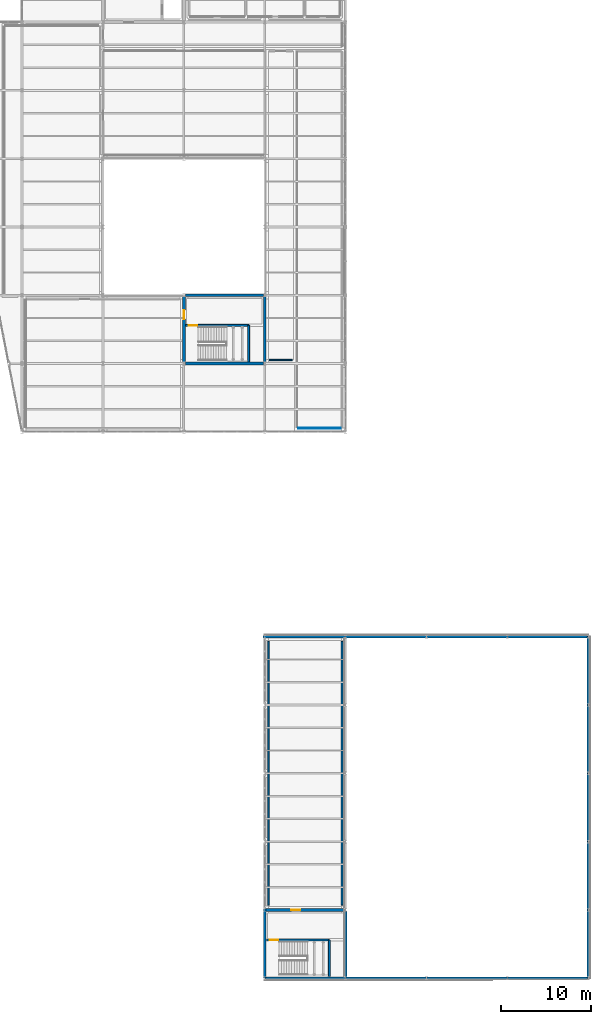
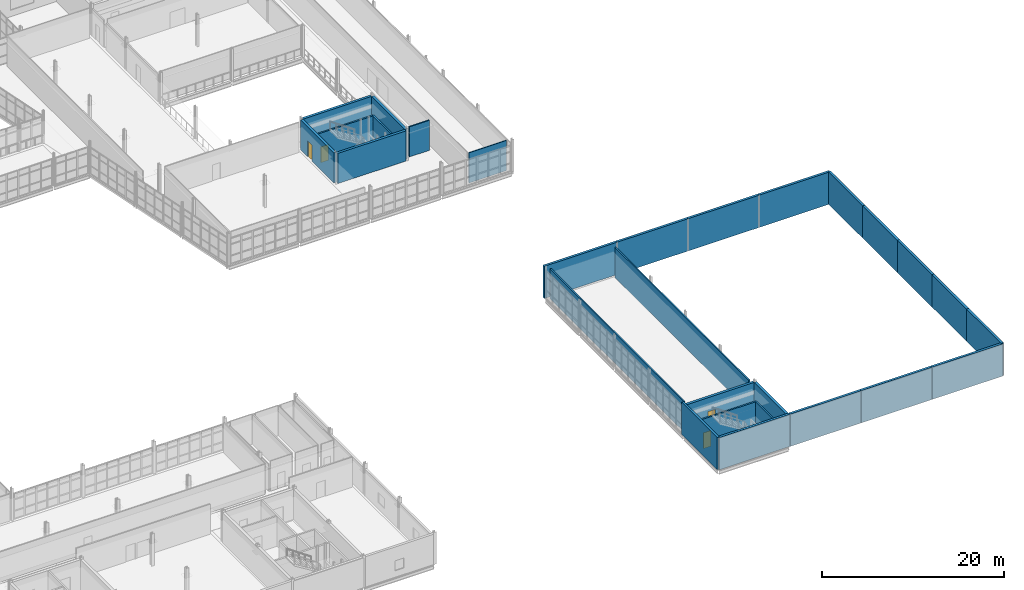
# One storey, part 162 of 174: 28 walls, 4 doors, 4 openings.
"""IFC4 building model written with IfcOpenShell, lengths in metres."""

from ifc_helpers import new_model, si_unit, direction, frame, frame_2d, origin, place, context, subcontext, project, spatial, rectangle, extrude, material, layer, layer_set, type_object, element, fill, save


model = new_model("IFC4")

# Units and contexts
model_context = context("Model", 3, precision=1e-05, world=origin(), true_north=direction((0.0, 1.0)))
body_context = subcontext(model_context, "Body", "Model", "MODEL_VIEW")
ifc_project = project(units=[si_unit("LENGTHUNIT", "METRE"), si_unit("AREAUNIT", "SQUARE_METRE"), si_unit("VOLUMEUNIT", "CUBIC_METRE"), si_unit("PLANEANGLEUNIT", "RADIAN"), si_unit("MASSUNIT", "GRAM", prefix="KILO")], contexts=[model_context])

# Site, building, storey
site_placement = place(None, origin())
site = spatial("IfcSite", under=ifc_project, at=site_placement, CompositionType="ELEMENT")
building_placement = place(site_placement, origin())
building = spatial("IfcBuilding", under=site, at=building_placement, Name="Caisbarro Railhouse Central Library", CompositionType="ELEMENT")
storey_placement = place(building_placement, frame((0.0, 0.0, 5.0400390625)))
storey = spatial("IfcBuildingStorey", under=building, at=storey_placement, Name="L01", CompositionType="ELEMENT", Elevation=5.0400390625)

# Walls
ifc_material_1 = material(Name="Concrete C40", Category="concrete")
ifc_layer_1 = layer(ifc_material_1, 0.320068359375, Name="Concrete C40")
ifc_layer_set_1 = layer_set([ifc_layer_1], Name="Concrete C40")
wall_type_1 = type_object("IfcWallType", Name="WAL-CW32", PredefinedType="SHEAR", material=ifc_layer_set_1)
for number, where, z_axis, x_axis, name in (
    (1, (135.159912109375, 68.39990234375, 0.0), (0.0, 0.0, 1.0), (1.0, 0.0, 0.0), "CW32 RC core shear wall L01 #94"),
    (2, (135.159912109375, 76.0, 0.0), (0.0, 0.0, 1.0), (1.0, 0.0, 0.0), "CW32 RC core shear wall L01 #95"),
):
    element("IfcWall", number, at=place(storey_placement, frame(where, z_axis=z_axis, x_axis=x_axis)), inside=storey, type_object=wall_type_1, Name=name, PredefinedType="SHEAR", context=body_context, shape_type="SweptSolid", body=[
        extrude(rectangle(XDim=8.68017578125, YDim=0.320068359375, at=frame_2d((4.340087890625, 0.0))), origin(), (0.0, 0.0, 1.0), 4.0400390625),
    ])

# Wall, opening, door
wall_1_placement = place(storey_placement, frame((135.0, 68.56005859375, 0.0), z_axis=(0.0, 0.0, 1.0), x_axis=(0.0, 1.0, 0.0)))
wall_1 = element("IfcWall", 3, at=wall_1_placement, inside=storey, type_object=wall_type_1, Name="CW32 RC core shear wall L01 #96", PredefinedType="SHEAR", context=body_context, shape_type="SweptSolid", body=[
    extrude(rectangle(XDim=7.280029296875, YDim=0.320068359375, at=frame_2d((3.64013671875, 0.0))), origin(), (0.0, 0.0, 1.0), 4.0400390625),
])
opening_1_placement = place(wall_1_placement, frame((4.800048828125, 0.0, 0.0)))
opening_1 = element("IfcOpeningElement", 4, at=opening_1_placement, cuts=wall_1, Name="Opening FD05", PredefinedType="OPENING", context=body_context, shape_type="SweptSolid", body=[
    extrude(rectangle(XDim=1.0, YDim=2.14990234375, at=frame_2d((0.5, 1.074951171875))), frame((0.0, 0.169921875, 0.0), z_axis=(0.0, -1.0, 0.0), x_axis=(1.0, 0.0, 0.0)), (0.0, 0.0, 1.0), 0.340087890625),
])
ifc_material_2 = material(Name="Fire-rated painted galvanised steel", Category="steel")
door_type_1 = type_object("IfcDoorType", Name="DR-FD05", OperationType="NOTDEFINED", PredefinedType="DOOR", material=ifc_material_2)
door_1_placement = place(opening_1_placement, origin())
door_1 = element("IfcDoor", 5, at=door_1_placement, inside=storey, type_object=door_type_1, Name="Core K7 Lobby Door FD05 L01-130", OperationType="SINGLE_SWING_LEFT", OverallHeight=2.14990234375, OverallWidth=1.0, PredefinedType="DOOR", context=body_context, shape_type="SweptSolid", body=[
    extrude(rectangle(XDim=1.0, YDim=2.14990234375, at=frame_2d((0.5, 1.074951171875))), frame((0.0, 0.02490234375, 0.0), z_axis=(0.0, -1.0, 0.0), x_axis=(1.0, 0.0, 0.0)), (0.0, 0.0, 1.0), 0.050048828125),
])
fill(opening_1, door_1)

# Wall
wall_2_placement = place(storey_placement, frame((144.0, 68.56005859375, 0.0), z_axis=(0.0, 0.0, 1.0), x_axis=(0.0, 1.0, 0.0)))
element("IfcWall", 6, at=wall_2_placement, inside=storey, type_object=wall_type_1, Name="CW32 RC core shear wall L01 #97", PredefinedType="SHEAR", context=body_context, shape_type="SweptSolid", body=[
    extrude(rectangle(XDim=7.280029296875, YDim=0.320068359375, at=frame_2d((3.64013671875, 0.0))), origin(), (0.0, 0.0, 1.0), 4.0400390625),
])

# Wall, opening, door
wall_3_placement = place(storey_placement, frame((144.159912109375, 7.60009765625, 0.0), z_axis=(0.0, 0.0, 1.0), x_axis=(1.0, 0.0, 0.0)))
wall_3 = element("IfcWall", 7, at=wall_3_placement, inside=storey, type_object=wall_type_1, Name="CW32 RC core shear wall L01 #113", PredefinedType="SHEAR", context=body_context, shape_type="SweptSolid", body=[
    extrude(rectangle(XDim=8.68017578125, YDim=0.320068359375, at=frame_2d((4.340087890625, 0.0))), origin(), (0.0, 0.0, 1.0), 4.0400390625),
])
opening_2_placement = place(wall_3_placement, frame((2.800048828125, 0.0, 0.0)))
opening_2 = element("IfcOpeningElement", 8, at=opening_2_placement, cuts=wall_3, Name="Opening FD05", PredefinedType="OPENING", context=body_context, shape_type="SweptSolid", body=[
    extrude(rectangle(XDim=1.0, YDim=2.14990234375, at=frame_2d((0.5, 1.074951171875))), frame((0.0, 0.169921875, 0.0), z_axis=(0.0, -1.0, 0.0), x_axis=(1.0, 0.0, 0.0)), (0.0, 0.0, 1.0), 0.340087890625),
])
door_2_placement = place(opening_2_placement, origin())
door_2 = element("IfcDoor", 9, at=door_2_placement, inside=storey, type_object=door_type_1, Name="Core K9 L01 Lobby Door FD05 L01-144", OperationType="SINGLE_SWING_LEFT", OverallHeight=2.14990234375, OverallWidth=1.0, PredefinedType="DOOR", context=body_context, shape_type="SweptSolid", body=[
    extrude(rectangle(XDim=1.0, YDim=2.14990234375, at=frame_2d((0.5, 1.074951171875))), frame((0.0, 0.02490234375, 0.0), z_axis=(0.0, -1.0, 0.0), x_axis=(1.0, 0.0, 0.0)), (0.0, 0.0, 1.0), 0.050048828125),
])
fill(opening_2, door_2)

# Walls
wall_4_placement = place(storey_placement, frame((153.0, 0.159912109375, 0.0), z_axis=(0.0, 0.0, 1.0), x_axis=(0.0, 1.0, 0.0)))
element("IfcWall", 10, at=wall_4_placement, inside=storey, type_object=wall_type_1, Name="CW32 RC core shear wall L01 #114", PredefinedType="SHEAR", context=body_context, shape_type="SweptSolid", body=[
    extrude(rectangle(XDim=7.280029296875, YDim=0.320068359375, at=frame_2d((3.64013671875, 0.0))), origin(), (0.0, 0.0, 1.0), 4.0400390625),
])
ifc_layer_2 = layer(ifc_material_1, 0.280029296875, Name="Concrete C40")
ifc_layer_set_2 = layer_set([ifc_layer_2], Name="Concrete C40")
wall_type_2 = type_object("IfcWallType", Name="WAL-EW28", PredefinedType="SOLIDWALL", material=ifc_layer_set_2)
wall_5_placement = place(storey_placement, frame((144.0, 0.0, 0.0), z_axis=(0.0, 0.0, 1.0), x_axis=(0.0, 1.0, 0.0)))
element("IfcWall", 11, at=wall_5_placement, inside=storey, type_object=wall_type_2, Name="EW28 exterior wall L01 #172", PredefinedType="SOLIDWALL", context=body_context, shape_type="SweptSolid", body=[
    extrude(rectangle(XDim=7.81005859375, YDim=0.280029296875, at=frame_2d((3.905029296875, 0.0))), origin(), (0.0, 0.0, 1.0), 4.320068359375),
])
ifc_layer_3 = layer(ifc_material_1, 0.300048828125, Name="Concrete C40")
ifc_layer_set_3 = layer_set([ifc_layer_3], Name="Concrete C40")
wall_type_3 = type_object("IfcWallType", Name="WAL-EW30", PredefinedType="SOLIDWALL", material=ifc_layer_set_3)
wall_6_placement = place(storey_placement, frame((180.0, 0.0, 0.0), z_axis=(0.0, 0.0, 1.0), x_axis=(0.0, 1.0, 0.0)))
element("IfcWall", 12, at=wall_6_placement, inside=storey, type_object=wall_type_3, Name="EW30 exterior wall L01 #173", PredefinedType="SOLIDWALL", context=body_context, shape_type="SweptSolid", body=[
    extrude(rectangle(XDim=7.60009765625, YDim=0.300048828125, at=frame_2d((3.800048828125, 0.0))), origin(), (0.0, 0.0, 1.0), 4.320068359375),
])
wall_7_placement = place(storey_placement, frame((180.0, 7.60009765625, 0.0), z_axis=(0.0, 0.0, 1.0), x_axis=(0.0, 1.0, 0.0)))
element("IfcWall", 13, at=wall_7_placement, inside=storey, type_object=wall_type_3, Name="EW30 exterior wall L01 #174", PredefinedType="SOLIDWALL", context=body_context, shape_type="SweptSolid", body=[
    extrude(rectangle(XDim=7.599853515625, YDim=0.300048828125, at=frame_2d((3.7998046875, 0.0))), origin(), (0.0, 0.0, 1.0), 4.320068359375),
])
wall_8_placement = place(storey_placement, frame((180.0, 15.199951171875, 0.0), z_axis=(0.0, 0.0, 1.0), x_axis=(0.0, 1.0, 0.0)))
element("IfcWall", 14, at=wall_8_placement, inside=storey, type_object=wall_type_3, Name="EW30 exterior wall L01 #175", PredefinedType="SOLIDWALL", context=body_context, shape_type="SweptSolid", body=[
    extrude(rectangle(XDim=7.60009765625, YDim=0.300048828125, at=frame_2d((3.800048828125, 0.0))), origin(), (0.0, 0.0, 1.0), 4.320068359375),
])
wall_9_placement = place(storey_placement, frame((180.0, 22.800048828125, 0.0), z_axis=(0.0, 0.0, 1.0), x_axis=(0.0, 1.0, 0.0)))
element("IfcWall", 15, at=wall_9_placement, inside=storey, type_object=wall_type_3, Name="EW30 exterior wall L01 #176", PredefinedType="SOLIDWALL", context=body_context, shape_type="SweptSolid", body=[
    extrude(rectangle(XDim=7.599853515625, YDim=0.300048828125, at=frame_2d((3.7998046875, 0.0))), origin(), (0.0, 0.0, 1.0), 4.320068359375),
])
wall_10_placement = place(storey_placement, frame((180.0, 30.39990234375, 0.0), z_axis=(0.0, 0.0, 1.0), x_axis=(0.0, 1.0, 0.0)))
element("IfcWall", 16, at=wall_10_placement, inside=storey, type_object=wall_type_3, Name="EW30 exterior wall L01 #177", PredefinedType="SOLIDWALL", context=body_context, shape_type="SweptSolid", body=[
    extrude(rectangle(XDim=7.60009765625, YDim=0.300048828125, at=frame_2d((3.800048828125, 0.0))), origin(), (0.0, 0.0, 1.0), 4.320068359375),
])
wall_11_placement = place(storey_placement, frame((144.0, 0.0, 0.0), z_axis=(0.0, 0.0, 1.0), x_axis=(1.0, 0.0, 0.0)))
element("IfcWall", 17, at=wall_11_placement, inside=storey, type_object=wall_type_3, Name="EW30 exterior wall L01 #178", PredefinedType="SOLIDWALL", context=body_context, shape_type="SweptSolid", body=[
    extrude(rectangle(XDim=9.0, YDim=0.300048828125, at=frame_2d((4.5, 0.0))), origin(), (0.0, 0.0, 1.0), 4.320068359375),
])
wall_12_placement = place(storey_placement, frame((143.7900390625, 38.0, 0.0), z_axis=(0.0, 0.0, 1.0), x_axis=(1.0, 0.0, 0.0)))
element("IfcWall", 18, at=wall_12_placement, inside=storey, type_object=wall_type_3, Name="EW30 exterior wall L01 #179", PredefinedType="SOLIDWALL", context=body_context, shape_type="SweptSolid", body=[
    extrude(rectangle(XDim=9.2099609375, YDim=0.300048828125, at=frame_2d((4.60498046875, 0.0))), origin(), (0.0, 0.0, 1.0), 4.320068359375),
])
for number, where, z_axis, x_axis, name in (
    (19, (153.0, 0.0, 0.0), (0.0, 0.0, 1.0), (1.0, 0.0, 0.0), "EW30 exterior wall L01 #180"),
    (20, (153.0, 38.0, 0.0), (0.0, 0.0, 1.0), (1.0, 0.0, 0.0), "EW30 exterior wall L01 #181"),
    (21, (162.0, 0.0, 0.0), (0.0, 0.0, 1.0), (1.0, 0.0, 0.0), "EW30 exterior wall L01 #182"),
    (22, (162.0, 38.0, 0.0), (0.0, 0.0, 1.0), (1.0, 0.0, 0.0), "EW30 exterior wall L01 #183"),
    (23, (171.0, 0.0, 0.0), (0.0, 0.0, 1.0), (1.0, 0.0, 0.0), "EW30 exterior wall L01 #184"),
    (24, (171.0, 38.0, 0.0), (0.0, 0.0, 1.0), (1.0, 0.0, 0.0), "EW30 exterior wall L01 #185"),
):
    element("IfcWall", number, at=place(storey_placement, frame(where, z_axis=z_axis, x_axis=x_axis)), inside=storey, type_object=wall_type_3, Name=name, PredefinedType="SOLIDWALL", context=body_context, shape_type="SweptSolid", body=[
        extrude(rectangle(XDim=9.0, YDim=0.300048828125, at=frame_2d((4.5, 0.0))), origin(), (0.0, 0.0, 1.0), 4.320068359375),
    ])
ifc_material_3 = material(Name="Acoustic gypsum board on galvanised steel studs", Category="steel")
ifc_layer_4 = layer(ifc_material_3, 0.110107421875, Name="Acoustic gypsum board on galvanised steel studs")
ifc_layer_set_4 = layer_set([ifc_layer_4], Name="Acoustic gypsum board on galvanised steel studs")
wall_type_4 = type_object("IfcWallType", Name="WAL-IW11", PredefinedType="PARTITIONING", material=ifc_layer_set_4)
wall_13_placement = place(storey_placement, frame((147.719970703125, 61.199951171875, 0.0), z_axis=(0.0, 0.0, 1.0), x_axis=(1.0, 0.0, 0.0)))
element("IfcWall", 25, at=wall_13_placement, inside=storey, type_object=wall_type_4, Name="IW11 partition wall L01 #442", PredefinedType="PARTITIONING", context=body_context, shape_type="SweptSolid", body=[
    extrude(rectangle(XDim=4.760009765625, YDim=0.110107421875, at=frame_2d((2.3798828125, 0.0))), origin(), (0.0, 0.0, 1.0), 4.0400390625),
])
ifc_layer_5 = layer(ifc_material_3, 0.14990234375, Name="Acoustic gypsum board on galvanised steel studs")
ifc_layer_set_5 = layer_set([ifc_layer_5], Name="Acoustic gypsum board on galvanised steel studs")
wall_type_5 = type_object("IfcWallType", Name="WAL-IW15", PredefinedType="PARTITIONING", material=ifc_layer_set_5)
wall_14_placement = place(storey_placement, frame((144.52001953125, 68.800048828125, 0.0), z_axis=(0.0, 0.0, 1.0), x_axis=(1.0, 0.0, 0.0)))
element("IfcWall", 26, at=wall_14_placement, inside=storey, type_object=wall_type_5, Name="IW15 partition wall L01 #464", PredefinedType="PARTITIONING", context=body_context, shape_type="SweptSolid", body=[
    extrude(rectangle(XDim=2.56005859375, YDim=0.14990234375, at=frame_2d((1.280029296875, 0.0))), origin(), (0.0, 0.0, 1.0), 4.0400390625),
])
ifc_material_4 = material(Name="Plastered cellular concrete masonry", Category="masonry")
ifc_layer_6 = layer(ifc_material_4, 0.169921875, Name="Plastered cellular concrete masonry")
ifc_layer_set_6 = layer_set([ifc_layer_6], Name="Plastered cellular concrete masonry")
wall_type_6 = type_object("IfcWallType", Name="WAL-IW17", PredefinedType="PARTITIONING", material=ifc_layer_set_6)
for number, where, z_axis, x_axis, name in (
    (27, (144.39990234375, 8.1201171875, 0.0), (0.0, 0.0, 1.0), (0.0, 1.0, 0.0), "IW17 partition wall L01 #467"),
    (28, (152.60009765625, 8.1201171875, 0.0), (0.0, 0.0, 1.0), (0.0, 1.0, 0.0), "IW17 partition wall L01 #468"),
):
    element("IfcWall", number, at=place(storey_placement, frame(where, z_axis=z_axis, x_axis=x_axis)), inside=storey, type_object=wall_type_6, Name=name, PredefinedType="PARTITIONING", context=body_context, shape_type="SweptSolid", body=[
        extrude(rectangle(XDim=29.35986328125, YDim=0.169921875, at=frame_2d((14.679931640625, 0.0))), origin(), (0.0, 0.0, 1.0), 4.0400390625),
    ])

# Wall, opening, door
ifc_layer_7 = layer(ifc_material_1, 0.2099609375, Name="Concrete C40")
ifc_layer_set_7 = layer_set([ifc_layer_7], Name="Concrete C40")
wall_type_7 = type_object("IfcWallType", Name="WAL-SW21", PredefinedType="SOLIDWALL", material=ifc_layer_set_7)
wall_15_placement = place(storey_placement, frame((135.199951171875, 72.64990234375, 0.0), z_axis=(0.0, 0.0, 1.0), x_axis=(1.0, 0.0, 0.0)))
wall_15 = element("IfcWall", 29, at=wall_15_placement, inside=storey, type_object=wall_type_7, Name="SW21 core shaft wall L01 #153", PredefinedType="SOLIDWALL", context=body_context, shape_type="SweptSolid", body=[
    extrude(rectangle(XDim=7.0, YDim=0.2099609375, at=frame_2d((3.5, 0.0))), origin(), (0.0, 0.0, 1.0), 4.0400390625),
])
opening_3_placement = place(wall_15_placement, frame((0.35009765625, 0.0, 0.0)))
opening_3 = element("IfcOpeningElement", 30, at=opening_3_placement, cuts=wall_15, Name="Opening FD01", PredefinedType="OPENING", context=body_context, shape_type="SweptSolid", body=[
    extrude(rectangle(XDim=0.949951171875, YDim=2.1201171875, at=frame_2d((0.47509765625, 1.06005859375))), frame((0.0, 0.114990234375, 0.0), z_axis=(0.0, -1.0, 0.0), x_axis=(1.0, 0.0, 0.0)), (0.0, 0.0, 1.0), 0.22998046875),
])
door_type_2 = type_object("IfcDoorType", Name="DR-FD01", OperationType="NOTDEFINED", PredefinedType="DOOR", material=ifc_material_2)
door_3_placement = place(opening_3_placement, origin())
door_3 = element("IfcDoor", 31, at=door_3_placement, inside=storey, type_object=door_type_2, Name="Stair ST-07 Fire Door FD01 L01-129", OperationType="SINGLE_SWING_RIGHT", OverallHeight=2.1201171875, OverallWidth=0.949951171875, PredefinedType="DOOR", context=body_context, shape_type="SweptSolid", body=[
    extrude(rectangle(XDim=0.949951171875, YDim=2.1201171875, at=frame_2d((0.47509765625, 1.06005859375))), frame((0.0, 0.02490234375, 0.0), z_axis=(0.0, -1.0, 0.0), x_axis=(1.0, 0.0, 0.0)), (0.0, 0.0, 1.0), 0.050048828125),
])
fill(opening_3, door_3)

# Wall
wall_16_placement = place(storey_placement, frame((142.199951171875, 68.60009765625, 0.0), z_axis=(0.0, 0.0, 1.0), x_axis=(0.0, 1.0, 0.0)))
element("IfcWall", 32, at=wall_16_placement, inside=storey, type_object=wall_type_7, Name="SW21 core shaft wall L01 #154", PredefinedType="SOLIDWALL", context=body_context, shape_type="SweptSolid", body=[
    extrude(rectangle(XDim=4.0498046875, YDim=0.2099609375, at=frame_2d((2.02490234375, 0.0))), origin(), (0.0, 0.0, 1.0), 4.0400390625),
])

# Wall, opening, door
wall_17_placement = place(storey_placement, frame((144.199951171875, 4.25, 0.0), z_axis=(0.0, 0.0, 1.0), x_axis=(1.0, 0.0, 0.0)))
wall_17 = element("IfcWall", 33, at=wall_17_placement, inside=storey, type_object=wall_type_7, Name="SW21 core shaft wall L01 #167", PredefinedType="SOLIDWALL", context=body_context, shape_type="SweptSolid", body=[
    extrude(rectangle(XDim=7.0, YDim=0.2099609375, at=frame_2d((3.5, 0.0))), origin(), (0.0, 0.0, 1.0), 4.0400390625),
])
opening_4_placement = place(wall_17_placement, frame((0.35009765625, 0.0, 0.0)))
opening_4 = element("IfcOpeningElement", 34, at=opening_4_placement, cuts=wall_17, Name="Opening FD01", PredefinedType="OPENING", context=body_context, shape_type="SweptSolid", body=[
    extrude(rectangle(XDim=0.949951171875, YDim=2.1201171875, at=frame_2d((0.47509765625, 1.06005859375))), frame((0.0, 0.114990234375, 0.0), z_axis=(0.0, -1.0, 0.0), x_axis=(1.0, 0.0, 0.0)), (0.0, 0.0, 1.0), 0.22998046875),
])
door_4_placement = place(opening_4_placement, origin())
door_4 = element("IfcDoor", 35, at=door_4_placement, inside=storey, type_object=door_type_2, Name="Stair ST-09 Fire Door FD01 L01-143", OperationType="SINGLE_SWING_RIGHT", OverallHeight=2.1201171875, OverallWidth=0.949951171875, PredefinedType="DOOR", context=body_context, shape_type="SweptSolid", body=[
    extrude(rectangle(XDim=0.949951171875, YDim=2.1201171875, at=frame_2d((0.47509765625, 1.06005859375))), frame((0.0, 0.02490234375, 0.0), z_axis=(0.0, -1.0, 0.0), x_axis=(1.0, 0.0, 0.0)), (0.0, 0.0, 1.0), 0.050048828125),
])
fill(opening_4, door_4)

# Wall
wall_18_placement = place(storey_placement, frame((151.199951171875, 0.199951171875, 0.0), z_axis=(0.0, 0.0, 1.0), x_axis=(0.0, 1.0, 0.0)))
element("IfcWall", 36, at=wall_18_placement, inside=storey, type_object=wall_type_7, Name="SW21 core shaft wall L01 #168", PredefinedType="SOLIDWALL", context=body_context, shape_type="SweptSolid", body=[
    extrude(rectangle(XDim=4.050048828125, YDim=0.2099609375, at=frame_2d((2.02490234375, 0.0))), origin(), (0.0, 0.0, 1.0), 4.0400390625),
])

save(model, "model.ifc")
